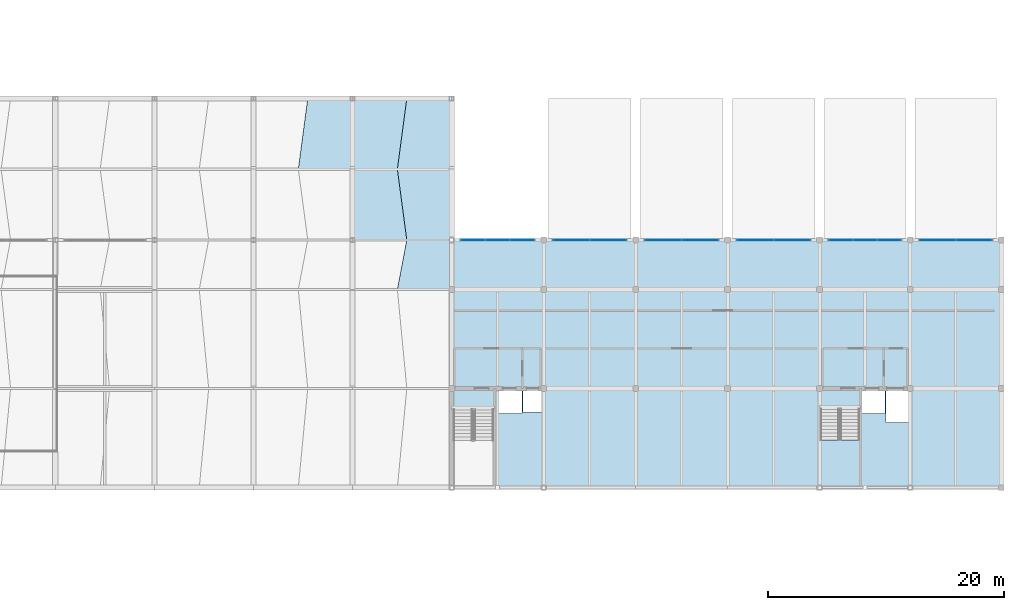
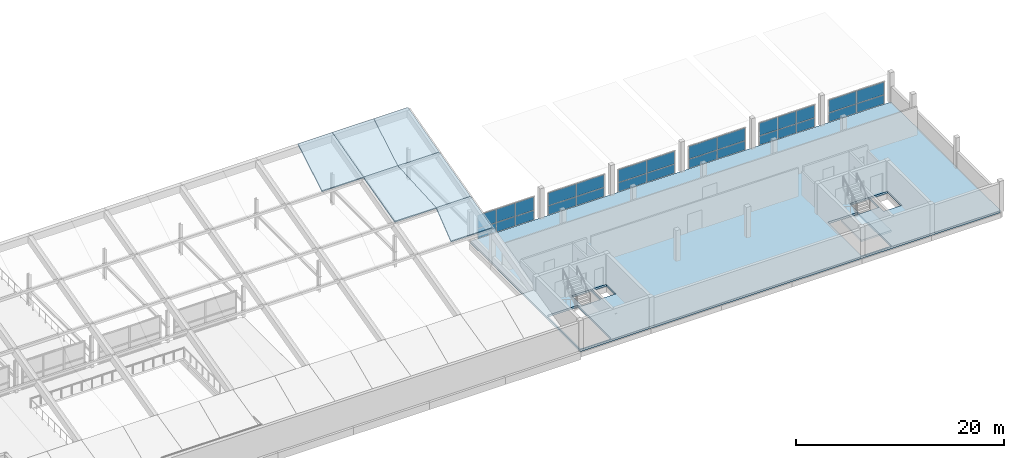
# One storey, part 37 of 51: 28 plates, 8 slabs, 7 elements without a shape of their own.
"""IFC4 building model written with IfcOpenShell, lengths in metres."""

from ifc_helpers import new_model, si_unit, direction, frame, origin, origin_2d, place, context, subcontext, project, spatial, polyline, rectangle, outline, extrude, material, layer, layer_set, type_object, element, aggregate, save


model = new_model("IFC4")

# Units and contexts
model_context = context("Model", 3, precision=1e-05, world=origin(), true_north=direction((0.0, 1.0)))
body_context = subcontext(model_context, "Body", "Model", "MODEL_VIEW")
ifc_project = project(units=[si_unit("LENGTHUNIT", "METRE"), si_unit("AREAUNIT", "SQUARE_METRE"), si_unit("VOLUMEUNIT", "CUBIC_METRE"), si_unit("PLANEANGLEUNIT", "RADIAN"), si_unit("MASSUNIT", "GRAM", prefix="KILO")], contexts=[model_context])

# Site, building, storey
site_placement = place(None, origin())
site = spatial("IfcSite", under=ifc_project, at=site_placement, CompositionType="ELEMENT")
building_placement = place(site_placement, origin())
building = spatial("IfcBuilding", under=site, at=building_placement, Name="Vharandega Faculty of Natural Sciences", CompositionType="ELEMENT")
storey_placement = place(building_placement, frame((0.0, 0.0, 18.0)))
storey = spatial("IfcBuildingStorey", under=building, at=storey_placement, Name="L04", CompositionType="ELEMENT", Elevation=18.0)

# Curtain wall, plates
ifc_material_1 = material(Name="Aluminium and solar-control glass curtain wall", Category="aluminium")
curtain_wall_type_1 = type_object("IfcCurtainWallType", Name="Unitised Curtain Wall System CW-21", PredefinedType="NOTDEFINED", material=ifc_material_1)
curtain_wall_1_placement = place(storey_placement, origin())
curtain_wall_1 = element("IfcCurtainWall", 1, at=curtain_wall_1_placement, inside=storey, type_object=curtain_wall_type_1, Name="Curtain Wall CW-L04-020", PredefinedType="NOTDEFINED")
ifc_material_2 = material(Name="Double-glazed low-E solar glass", Category="glass")
ifc_layer_1 = layer(ifc_material_2, 0.028076171875, Name="Double-glazed low-E solar glass")
ifc_layer_set_1 = layer_set([ifc_layer_1], Name="Double-glazed low-E solar glass")
plate_type = type_object("IfcPlateType", Name="CW Solar Vision Panel 28mm", PredefinedType="CURTAIN_PANEL", material=ifc_layer_set_1)
plate_1_placement = place(storey_placement, frame((116.6083984375, 85.0, 0.06005859375), z_axis=(0.0, 0.0, 1.0), x_axis=(1.0, 0.0, 0.0)))
plate_1 = element("IfcPlate", 2, at=plate_1_placement, type_object=plate_type, Name="CW-21 panel 1.1", PredefinedType="CURTAIN_PANEL", context=body_context, shape_type="SweptSolid", body=[
    extrude(rectangle(XDim=2.0166015625, YDim=0.028076171875, at=origin_2d()), origin(), (0.0, 0.0, 1.0), 1.0859375),
])
plate_2_placement = place(storey_placement, frame((116.6083984375, 85.0, 1.2060546875), z_axis=(0.0, 0.0, 1.0), x_axis=(1.0, 0.0, 0.0)))
plate_2 = element("IfcPlate", 3, at=plate_2_placement, type_object=plate_type, Name="CW-21 panel 1.2", PredefinedType="CURTAIN_PANEL", context=body_context, shape_type="SweptSolid", body=[
    extrude(rectangle(XDim=2.0166015625, YDim=0.028076171875, at=origin_2d()), origin(), (0.0, 0.0, 1.0), 1.533935546875),
])
plate_3_placement = place(storey_placement, frame((118.699951171875, 85.0, 0.06005859375), z_axis=(0.0, 0.0, 1.0), x_axis=(1.0, 0.0, 0.0)))
plate_3 = element("IfcPlate", 4, at=plate_3_placement, type_object=plate_type, Name="CW-21 panel 2.1", PredefinedType="CURTAIN_PANEL", context=body_context, shape_type="SweptSolid", body=[
    extrude(rectangle(XDim=2.046630859375, YDim=0.028076171875, at=origin_2d()), origin(), (0.0, 0.0, 1.0), 1.0859375),
])
plate_4_placement = place(storey_placement, frame((118.699951171875, 85.0, 1.2060546875), z_axis=(0.0, 0.0, 1.0), x_axis=(1.0, 0.0, 0.0)))
plate_4 = element("IfcPlate", 5, at=plate_4_placement, type_object=plate_type, Name="CW-21 panel 2.2", PredefinedType="CURTAIN_PANEL", context=body_context, shape_type="SweptSolid", body=[
    extrude(rectangle(XDim=2.046630859375, YDim=0.028076171875, at=origin_2d()), origin(), (0.0, 0.0, 1.0), 1.533935546875),
])
plate_5_placement = place(storey_placement, frame((120.791748046875, 85.0, 0.06005859375), z_axis=(0.0, 0.0, 1.0), x_axis=(1.0, 0.0, 0.0)))
plate_5 = element("IfcPlate", 6, at=plate_5_placement, type_object=plate_type, Name="CW-21 panel 3.1", PredefinedType="CURTAIN_PANEL", context=body_context, shape_type="SweptSolid", body=[
    extrude(rectangle(XDim=2.0166015625, YDim=0.028076171875, at=origin_2d()), origin(), (0.0, 0.0, 1.0), 1.0859375),
])
plate_6_placement = place(storey_placement, frame((120.791748046875, 85.0, 1.2060546875), z_axis=(0.0, 0.0, 1.0), x_axis=(1.0, 0.0, 0.0)))
plate_6 = element("IfcPlate", 7, at=plate_6_placement, type_object=plate_type, Name="CW-21 panel 3.2", PredefinedType="CURTAIN_PANEL", context=body_context, shape_type="SweptSolid", body=[
    extrude(rectangle(XDim=2.0166015625, YDim=0.028076171875, at=origin_2d()), origin(), (0.0, 0.0, 1.0), 1.533935546875),
])
aggregate(curtain_wall_1, [plate_1, plate_2, plate_3, plate_4, plate_5, plate_6])

ifc_material_3 = material(Name="Aluminium and solar-control glass curtain wall", Category="aluminium")
curtain_wall_type_2 = type_object("IfcCurtainWallType", Name="Unitised Curtain Wall System CW-22", PredefinedType="NOTDEFINED", material=ifc_material_3)
curtain_wall_2_placement = place(storey_placement, origin())
curtain_wall_2 = element("IfcCurtainWall", 8, at=curtain_wall_2_placement, inside=storey, type_object=curtain_wall_type_2, Name="Curtain Wall CW-L04-021", PredefinedType="NOTDEFINED")
plate_7_placement = place(storey_placement, frame((124.93505859375, 85.0, 0.06005859375), z_axis=(0.0, 0.0, 1.0), x_axis=(1.0, 0.0, 0.0)))
plate_7 = element("IfcPlate", 9, at=plate_7_placement, type_object=plate_type, Name="CW-22 panel 1.1", PredefinedType="CURTAIN_PANEL", context=body_context, shape_type="SweptSolid", body=[
    extrude(rectangle(XDim=3.070068359375, YDim=0.028076171875, at=origin_2d()), origin(), (0.0, 0.0, 1.0), 1.03564453125),
])
plate_8_placement = place(storey_placement, frame((124.93505859375, 85.0, 1.155517578125), z_axis=(0.0, 0.0, 1.0), x_axis=(1.0, 0.0, 0.0)))
plate_8 = element("IfcPlate", 10, at=plate_8_placement, type_object=plate_type, Name="CW-22 panel 1.2", PredefinedType="CURTAIN_PANEL", context=body_context, shape_type="SweptSolid", body=[
    extrude(rectangle(XDim=3.070068359375, YDim=0.028076171875, at=origin_2d()), origin(), (0.0, 0.0, 1.0), 1.46435546875),
])
plate_9_placement = place(storey_placement, frame((128.06494140625, 85.0, 0.06005859375), z_axis=(0.0, 0.0, 1.0), x_axis=(1.0, 0.0, 0.0)))
plate_9 = element("IfcPlate", 11, at=plate_9_placement, type_object=plate_type, Name="CW-22 panel 2.1", PredefinedType="CURTAIN_PANEL", context=body_context, shape_type="SweptSolid", body=[
    extrude(rectangle(XDim=3.070068359375, YDim=0.028076171875, at=origin_2d()), origin(), (0.0, 0.0, 1.0), 1.03564453125),
])
plate_10_placement = place(storey_placement, frame((128.06494140625, 85.0, 1.155517578125), z_axis=(0.0, 0.0, 1.0), x_axis=(1.0, 0.0, 0.0)))
plate_10 = element("IfcPlate", 12, at=plate_10_placement, type_object=plate_type, Name="CW-22 panel 2.2", PredefinedType="CURTAIN_PANEL", context=body_context, shape_type="SweptSolid", body=[
    extrude(rectangle(XDim=3.070068359375, YDim=0.028076171875, at=origin_2d()), origin(), (0.0, 0.0, 1.0), 1.46435546875),
])
aggregate(curtain_wall_2, [plate_7, plate_8, plate_9, plate_10])

ifc_material_4 = material(Name="Aluminium and solar-control glass curtain wall", Category="aluminium")
curtain_wall_type_3 = type_object("IfcCurtainWallType", Name="Unitised Curtain Wall System CW-23", PredefinedType="NOTDEFINED", material=ifc_material_4)
curtain_wall_3_placement = place(storey_placement, origin())
curtain_wall_3 = element("IfcCurtainWall", 13, at=curtain_wall_3_placement, inside=storey, type_object=curtain_wall_type_3, Name="Curtain Wall CW-L04-022", PredefinedType="NOTDEFINED")
plate_11_placement = place(storey_placement, frame((132.735107421875, 85.0, 0.06005859375), z_axis=(0.0, 0.0, 1.0), x_axis=(1.0, 0.0, 0.0)))
plate_11 = element("IfcPlate", 14, at=plate_11_placement, type_object=plate_type, Name="CW-23 panel 1.1", PredefinedType="CURTAIN_PANEL", context=body_context, shape_type="SweptSolid", body=[
    extrude(rectangle(XDim=3.070068359375, YDim=0.028076171875, at=origin_2d()), origin(), (0.0, 0.0, 1.0), 1.03564453125),
])
plate_12_placement = place(storey_placement, frame((132.735107421875, 85.0, 1.155517578125), z_axis=(0.0, 0.0, 1.0), x_axis=(1.0, 0.0, 0.0)))
plate_12 = element("IfcPlate", 15, at=plate_12_placement, type_object=plate_type, Name="CW-23 panel 1.2", PredefinedType="CURTAIN_PANEL", context=body_context, shape_type="SweptSolid", body=[
    extrude(rectangle(XDim=3.070068359375, YDim=0.028076171875, at=origin_2d()), origin(), (0.0, 0.0, 1.0), 1.46435546875),
])
plate_13_placement = place(storey_placement, frame((135.864990234375, 85.0, 0.06005859375), z_axis=(0.0, 0.0, 1.0), x_axis=(1.0, 0.0, 0.0)))
plate_13 = element("IfcPlate", 16, at=plate_13_placement, type_object=plate_type, Name="CW-23 panel 2.1", PredefinedType="CURTAIN_PANEL", context=body_context, shape_type="SweptSolid", body=[
    extrude(rectangle(XDim=3.070068359375, YDim=0.028076171875, at=origin_2d()), origin(), (0.0, 0.0, 1.0), 1.03564453125),
])
plate_14_placement = place(storey_placement, frame((135.864990234375, 85.0, 1.155517578125), z_axis=(0.0, 0.0, 1.0), x_axis=(1.0, 0.0, 0.0)))
plate_14 = element("IfcPlate", 17, at=plate_14_placement, type_object=plate_type, Name="CW-23 panel 2.2", PredefinedType="CURTAIN_PANEL", context=body_context, shape_type="SweptSolid", body=[
    extrude(rectangle(XDim=3.070068359375, YDim=0.028076171875, at=origin_2d()), origin(), (0.0, 0.0, 1.0), 1.46435546875),
])
aggregate(curtain_wall_3, [plate_11, plate_12, plate_13, plate_14])

ifc_material_5 = material(Name="Aluminium and solar-control glass curtain wall", Category="aluminium")
curtain_wall_type_4 = type_object("IfcCurtainWallType", Name="Unitised Curtain Wall System CW-24", PredefinedType="NOTDEFINED", material=ifc_material_5)
curtain_wall_4_placement = place(storey_placement, origin())
curtain_wall_4 = element("IfcCurtainWall", 18, at=curtain_wall_4_placement, inside=storey, type_object=curtain_wall_type_4, Name="Curtain Wall CW-L04-023", PredefinedType="NOTDEFINED")
plate_15_placement = place(storey_placement, frame((140.534912109375, 85.0, 0.06005859375), z_axis=(0.0, 0.0, 1.0), x_axis=(1.0, 0.0, 0.0)))
plate_15 = element("IfcPlate", 19, at=plate_15_placement, type_object=plate_type, Name="CW-24 panel 1.1", PredefinedType="CURTAIN_PANEL", context=body_context, shape_type="SweptSolid", body=[
    extrude(rectangle(XDim=3.070068359375, YDim=0.028076171875, at=origin_2d()), origin(), (0.0, 0.0, 1.0), 1.03564453125),
])
plate_16_placement = place(storey_placement, frame((140.534912109375, 85.0, 1.155517578125), z_axis=(0.0, 0.0, 1.0), x_axis=(1.0, 0.0, 0.0)))
plate_16 = element("IfcPlate", 20, at=plate_16_placement, type_object=plate_type, Name="CW-24 panel 1.2", PredefinedType="CURTAIN_PANEL", context=body_context, shape_type="SweptSolid", body=[
    extrude(rectangle(XDim=3.070068359375, YDim=0.028076171875, at=origin_2d()), origin(), (0.0, 0.0, 1.0), 1.46435546875),
])
plate_17_placement = place(storey_placement, frame((143.6650390625, 85.0, 0.06005859375), z_axis=(0.0, 0.0, 1.0), x_axis=(1.0, 0.0, 0.0)))
plate_17 = element("IfcPlate", 21, at=plate_17_placement, type_object=plate_type, Name="CW-24 panel 2.1", PredefinedType="CURTAIN_PANEL", context=body_context, shape_type="SweptSolid", body=[
    extrude(rectangle(XDim=3.070068359375, YDim=0.028076171875, at=origin_2d()), origin(), (0.0, 0.0, 1.0), 1.03564453125),
])
plate_18_placement = place(storey_placement, frame((143.6650390625, 85.0, 1.155517578125), z_axis=(0.0, 0.0, 1.0), x_axis=(1.0, 0.0, 0.0)))
plate_18 = element("IfcPlate", 22, at=plate_18_placement, type_object=plate_type, Name="CW-24 panel 2.2", PredefinedType="CURTAIN_PANEL", context=body_context, shape_type="SweptSolid", body=[
    extrude(rectangle(XDim=3.070068359375, YDim=0.028076171875, at=origin_2d()), origin(), (0.0, 0.0, 1.0), 1.46435546875),
])
aggregate(curtain_wall_4, [plate_15, plate_16, plate_17, plate_18])

ifc_material_6 = material(Name="Aluminium and solar-control glass curtain wall", Category="aluminium")
curtain_wall_type_5 = type_object("IfcCurtainWallType", Name="Unitised Curtain Wall System CW-25", PredefinedType="NOTDEFINED", material=ifc_material_6)
curtain_wall_5_placement = place(storey_placement, origin())
curtain_wall_5 = element("IfcCurtainWall", 23, at=curtain_wall_5_placement, inside=storey, type_object=curtain_wall_type_5, Name="Curtain Wall CW-L04-024", PredefinedType="NOTDEFINED")
plate_19_placement = place(storey_placement, frame((147.791748046875, 85.0, 0.06005859375), z_axis=(0.0, 0.0, 1.0), x_axis=(1.0, 0.0, 0.0)))
plate_19 = element("IfcPlate", 24, at=plate_19_placement, type_object=plate_type, Name="CW-25 panel 1.1", PredefinedType="CURTAIN_PANEL", context=body_context, shape_type="SweptSolid", body=[
    extrude(rectangle(XDim=1.9833984375, YDim=0.028076171875, at=origin_2d()), origin(), (0.0, 0.0, 1.0), 1.03564453125),
])
plate_20_placement = place(storey_placement, frame((147.791748046875, 85.0, 1.155517578125), z_axis=(0.0, 0.0, 1.0), x_axis=(1.0, 0.0, 0.0)))
plate_20 = element("IfcPlate", 25, at=plate_20_placement, type_object=plate_type, Name="CW-25 panel 1.2", PredefinedType="CURTAIN_PANEL", context=body_context, shape_type="SweptSolid", body=[
    extrude(rectangle(XDim=1.9833984375, YDim=0.028076171875, at=origin_2d()), origin(), (0.0, 0.0, 1.0), 1.46435546875),
])
plate_21_placement = place(storey_placement, frame((149.85009765625, 85.0, 0.06005859375), z_axis=(0.0, 0.0, 1.0), x_axis=(1.0, 0.0, 0.0)))
plate_21 = element("IfcPlate", 26, at=plate_21_placement, type_object=plate_type, Name="CW-25 panel 2.1", PredefinedType="CURTAIN_PANEL", context=body_context, shape_type="SweptSolid", body=[
    extrude(rectangle(XDim=2.013427734375, YDim=0.028076171875, at=origin_2d()), origin(), (0.0, 0.0, 1.0), 1.03564453125),
])
plate_22_placement = place(storey_placement, frame((149.85009765625, 85.0, 1.155517578125), z_axis=(0.0, 0.0, 1.0), x_axis=(1.0, 0.0, 0.0)))
plate_22 = element("IfcPlate", 27, at=plate_22_placement, type_object=plate_type, Name="CW-25 panel 2.2", PredefinedType="CURTAIN_PANEL", context=body_context, shape_type="SweptSolid", body=[
    extrude(rectangle(XDim=2.013427734375, YDim=0.028076171875, at=origin_2d()), origin(), (0.0, 0.0, 1.0), 1.46435546875),
])
plate_23_placement = place(storey_placement, frame((151.908447265625, 85.0, 0.06005859375), z_axis=(0.0, 0.0, 1.0), x_axis=(1.0, 0.0, 0.0)))
plate_23 = element("IfcPlate", 28, at=plate_23_placement, type_object=plate_type, Name="CW-25 panel 3.1", PredefinedType="CURTAIN_PANEL", context=body_context, shape_type="SweptSolid", body=[
    extrude(rectangle(XDim=1.9833984375, YDim=0.028076171875, at=origin_2d()), origin(), (0.0, 0.0, 1.0), 1.03564453125),
])
plate_24_placement = place(storey_placement, frame((151.908447265625, 85.0, 1.155517578125), z_axis=(0.0, 0.0, 1.0), x_axis=(1.0, 0.0, 0.0)))
plate_24 = element("IfcPlate", 29, at=plate_24_placement, type_object=plate_type, Name="CW-25 panel 3.2", PredefinedType="CURTAIN_PANEL", context=body_context, shape_type="SweptSolid", body=[
    extrude(rectangle(XDim=1.9833984375, YDim=0.028076171875, at=origin_2d()), origin(), (0.0, 0.0, 1.0), 1.46435546875),
])
aggregate(curtain_wall_5, [plate_19, plate_20, plate_21, plate_22, plate_23, plate_24])

ifc_material_7 = material(Name="Aluminium and solar-control glass curtain wall", Category="aluminium")
curtain_wall_type_6 = type_object("IfcCurtainWallType", Name="Unitised Curtain Wall System CW-26", PredefinedType="NOTDEFINED", material=ifc_material_7)
curtain_wall_6_placement = place(storey_placement, origin())
curtain_wall_6 = element("IfcCurtainWall", 30, at=curtain_wall_6_placement, inside=storey, type_object=curtain_wall_type_6, Name="Curtain Wall CW-L04-025", PredefinedType="NOTDEFINED")
plate_25_placement = place(storey_placement, frame((156.010009765625, 85.0, 0.06005859375), z_axis=(0.0, 0.0, 1.0), x_axis=(1.0, 0.0, 0.0)))
plate_25 = element("IfcPlate", 31, at=plate_25_placement, type_object=plate_type, Name="CW-26 panel 1.1", PredefinedType="CURTAIN_PANEL", context=body_context, shape_type="SweptSolid", body=[
    extrude(rectangle(XDim=3.02001953125, YDim=0.028076171875, at=origin_2d()), origin(), (0.0, 0.0, 1.0), 1.03564453125),
])
plate_26_placement = place(storey_placement, frame((156.010009765625, 85.0, 1.155517578125), z_axis=(0.0, 0.0, 1.0), x_axis=(1.0, 0.0, 0.0)))
plate_26 = element("IfcPlate", 32, at=plate_26_placement, type_object=plate_type, Name="CW-26 panel 1.2", PredefinedType="CURTAIN_PANEL", context=body_context, shape_type="SweptSolid", body=[
    extrude(rectangle(XDim=3.02001953125, YDim=0.028076171875, at=origin_2d()), origin(), (0.0, 0.0, 1.0), 1.46435546875),
])
plate_27_placement = place(storey_placement, frame((159.090087890625, 85.0, 0.06005859375), z_axis=(0.0, 0.0, 1.0), x_axis=(1.0, 0.0, 0.0)))
plate_27 = element("IfcPlate", 33, at=plate_27_placement, type_object=plate_type, Name="CW-26 panel 2.1", PredefinedType="CURTAIN_PANEL", context=body_context, shape_type="SweptSolid", body=[
    extrude(rectangle(XDim=3.02001953125, YDim=0.028076171875, at=origin_2d()), origin(), (0.0, 0.0, 1.0), 1.03564453125),
])
plate_28_placement = place(storey_placement, frame((159.090087890625, 85.0, 1.155517578125), z_axis=(0.0, 0.0, 1.0), x_axis=(1.0, 0.0, 0.0)))
plate_28 = element("IfcPlate", 34, at=plate_28_placement, type_object=plate_type, Name="CW-26 panel 2.2", PredefinedType="CURTAIN_PANEL", context=body_context, shape_type="SweptSolid", body=[
    extrude(rectangle(XDim=3.02001953125, YDim=0.028076171875, at=origin_2d()), origin(), (0.0, 0.0, 1.0), 1.46435546875),
])
aggregate(curtain_wall_6, [plate_25, plate_26, plate_27, plate_28])

# Slabs
ifc_material_8 = material(Name="Concrete C40/50", Category="concrete")
ifc_layer_2 = layer(ifc_material_8, 0.159912109375, Name="Concrete C40/50")
ifc_layer_set_2 = layer_set([ifc_layer_2], Name="Concrete C40/50")
slab_type_1 = type_object("IfcSlabType", Name="Conoidal Shell Roof 160", PredefinedType="ROOF", material=ifc_layer_set_2)
slab_1_placement = place(storey_placement, frame((101.800048828125, 91.0, 6.800048828125), z_axis=(0.0, -0.257640626762, 0.966240812345), x_axis=(1.0, 0.0, 0.0)))
element("IfcSlab", 35, at=slab_1_placement, inside=storey, type_object=slab_type_1, Name="Conoidal Shell Roof SH-B6-S5E", PredefinedType="ROOF", context=body_context, shape_type="SweptSolid", body=[
    extrude(outline(polyline([(0.0, 0.0), (4.599853515625, 0.0), (4.599853515625, 6.209632136564747), (0.800048828125, 6.209632136564747), (0.0, 0.0)])), origin(), (0.0, 0.0, -1.0), 0.159912109375),
])
slab_2_placement = place(storey_placement, frame((110.199951171875, 80.800048828125, 4.14990234375), z_axis=(0.0, -0.253383197308, 0.967365988301), x_axis=(1.0, 0.0, 0.0)))
element("IfcSlab", 36, at=slab_2_placement, inside=storey, type_object=slab_type_1, Name="Conoidal Shell Roof SH-B7-S3E", PredefinedType="ROOF", context=body_context, shape_type="SweptSolid", body=[
    extrude(outline(polyline([(0.0, 0.0), (4.60009765625, 0.0), (4.60009765625, 4.341636177689343), (0.800048828125, 4.341636177689343), (0.0, 0.0)])), origin(), (0.0, 0.0, -1.0), 0.159912109375),
])
slab_3_placement = place(storey_placement, frame((106.39990234375, 85.0, 5.25), z_axis=(0.0, -0.250129418968, 0.968212411492), x_axis=(1.0, 0.0, 0.0)))
element("IfcSlab", 37, at=slab_3_placement, inside=storey, type_object=slab_type_1, Name="Conoidal Shell Roof SH-B7-S4W", PredefinedType="ROOF", context=body_context, shape_type="SweptSolid", body=[
    extrude(outline(polyline([(0.0, 0.0), (4.60009765625, 0.0), (3.800048828125, 6.196987281701625), (0.0, 6.196987281701625), (0.0, 0.0)])), origin(), (0.0, 0.0, -1.0), 0.159912109375),
])
slab_4_placement = place(storey_placement, frame((111.0, 85.0, 5.25), z_axis=(0.0, -0.250129418968, 0.968212411492), x_axis=(1.0, 0.0, 0.0)))
element("IfcSlab", 38, at=slab_4_placement, inside=storey, type_object=slab_type_1, Name="Conoidal Shell Roof SH-B7-S4E", PredefinedType="ROOF", context=body_context, shape_type="SweptSolid", body=[
    extrude(outline(polyline([(0.0, 0.0), (3.800048828125, 0.0), (3.800048828125, 6.196987281701625), (-0.800048828125, 6.196987281701625), (0.0, 0.0)])), origin(), (0.0, 0.0, -1.0), 0.159912109375),
])
slab_5_placement = place(storey_placement, frame((106.39990234375, 91.0, 6.800048828125), z_axis=(0.0, -0.257640626762, 0.966240812345), x_axis=(1.0, 0.0, 0.0)))
element("IfcSlab", 39, at=slab_5_placement, inside=storey, type_object=slab_type_1, Name="Conoidal Shell Roof SH-B7-S5W", PredefinedType="ROOF", context=body_context, shape_type="SweptSolid", body=[
    extrude(outline(polyline([(0.0, 0.0), (3.800048828125, 0.0), (4.60009765625, 6.209632136564747), (0.0, 6.209632136564747), (0.0, 0.0)])), origin(), (0.0, 0.0, -1.0), 0.159912109375),
])
slab_6_placement = place(storey_placement, frame((110.199951171875, 91.0, 6.800048828125), z_axis=(0.0, -0.257640626762, 0.966240812345), x_axis=(1.0, 0.0, 0.0)))
element("IfcSlab", 40, at=slab_6_placement, inside=storey, type_object=slab_type_1, Name="Conoidal Shell Roof SH-B7-S5E", PredefinedType="ROOF", context=body_context, shape_type="SweptSolid", body=[
    extrude(outline(polyline([(0.0, 0.0), (4.60009765625, 0.0), (4.60009765625, 6.209632136564747), (0.800048828125, 6.209632136564747), (0.0, 0.0)])), origin(), (0.0, 0.0, -1.0), 0.159912109375),
])
ifc_material_9 = material(Name="Cross-laminated timber CLT7-240", Category="wood")
ifc_layer_3 = layer(ifc_material_9, 0.239990234375, Name="Cross-laminated timber CLT7-240")
ifc_layer_set_3 = layer_set([ifc_layer_3], Name="Cross-laminated timber CLT7-240")
slab_type_2 = type_object("IfcSlabType", Name="SLAB-CLT-240", PredefinedType="FLOOR", material=ifc_layer_set_3)
slab_7_placement = place(storey_placement, frame((0.0, 0.0, -0.239990234375)))
element("IfcSlab", 41, at=slab_7_placement, inside=storey, type_object=slab_type_2, Name="L04 V4 Floor Slab", PredefinedType="FLOOR", context=body_context, shape_type="SweptSolid", body=[
    extrude(outline(polyline([(114.800048828125, 64.0), (161.39990234375, 64.0), (161.39990234375, 85.0), (114.800048828125, 85.0), (114.800048828125, 64.0)]), holes=[polyline([(114.93994140625, 70.544921875), (114.93994140625, 64.139892578125), (118.360107421875, 64.139892578125), (118.360107421875, 70.544921875), (114.93994140625, 70.544921875)]), polyline([(118.64990234375, 70.300048828125), (120.75, 70.300048828125), (120.75, 72.219970703125), (118.64990234375, 72.219970703125), (118.64990234375, 70.300048828125)]), polyline([(120.85009765625, 70.39990234375), (122.47998046875, 70.39990234375), (122.47998046875, 72.219970703125), (120.85009765625, 72.219970703125), (120.85009765625, 70.39990234375)]), polyline([(146.06005859375, 70.594970703125), (146.06005859375, 64.139892578125), (149.3798828125, 64.139892578125), (149.3798828125, 70.594970703125), (146.06005859375, 70.594970703125)]), polyline([(149.449951171875, 70.300048828125), (151.570068359375, 70.300048828125), (151.570068359375, 72.219970703125), (149.449951171875, 72.219970703125), (149.449951171875, 70.300048828125)]), polyline([(151.6201171875, 69.5), (153.639892578125, 69.5), (153.639892578125, 72.219970703125), (151.6201171875, 72.219970703125), (151.6201171875, 69.5)])]), origin(), (0.0, 0.0, 1.0), 0.239990234375),
])

# Stair, slab
ifc_material_10 = material(Name="Concrete C40/50", Category="concrete")
stair_type = type_object("IfcStairType", Name="Escape Dog-Leg Stair W160 H360", PredefinedType="HALF_TURN_STAIR", material=ifc_material_10)
stair_placement = place(storey_placement, origin())
stair = element("IfcStair", 42, at=stair_placement, inside=storey, type_object=stair_type, Name="L04 Escape Stair ST2", PredefinedType="HALF_TURN_STAIR")
ifc_material_11 = material(Name="Concrete C40/50", Category="concrete")
ifc_layer_4 = layer(ifc_material_11, 0.199951171875, Name="Concrete C40/50")
ifc_layer_set_4 = layer_set([ifc_layer_4], Name="Concrete C40/50")
slab_type_3 = type_object("IfcSlabType", Name="Stair Half-Landing Slab 200", PredefinedType="LANDING", material=ifc_layer_set_4)
slab_8_placement = place(storey_placement, frame((0.0, 0.0, 1.60009765625)))
slab_8 = element("IfcSlab", 43, at=slab_8_placement, type_object=slab_type_3, Name="ST2 landing 1", PredefinedType="LANDING", context=body_context, shape_type="SweptSolid", body=[
    extrude(outline(polyline([(146.06005859375, 68.050048828125), (146.06005859375, 64.139892578125), (149.3798828125, 64.139892578125), (149.3798828125, 68.050048828125), (146.06005859375, 68.050048828125)])), origin(), (0.0, 0.0, 1.0), 0.199951171875),
])
aggregate(stair, [slab_8])

save(model, "model.ifc")
